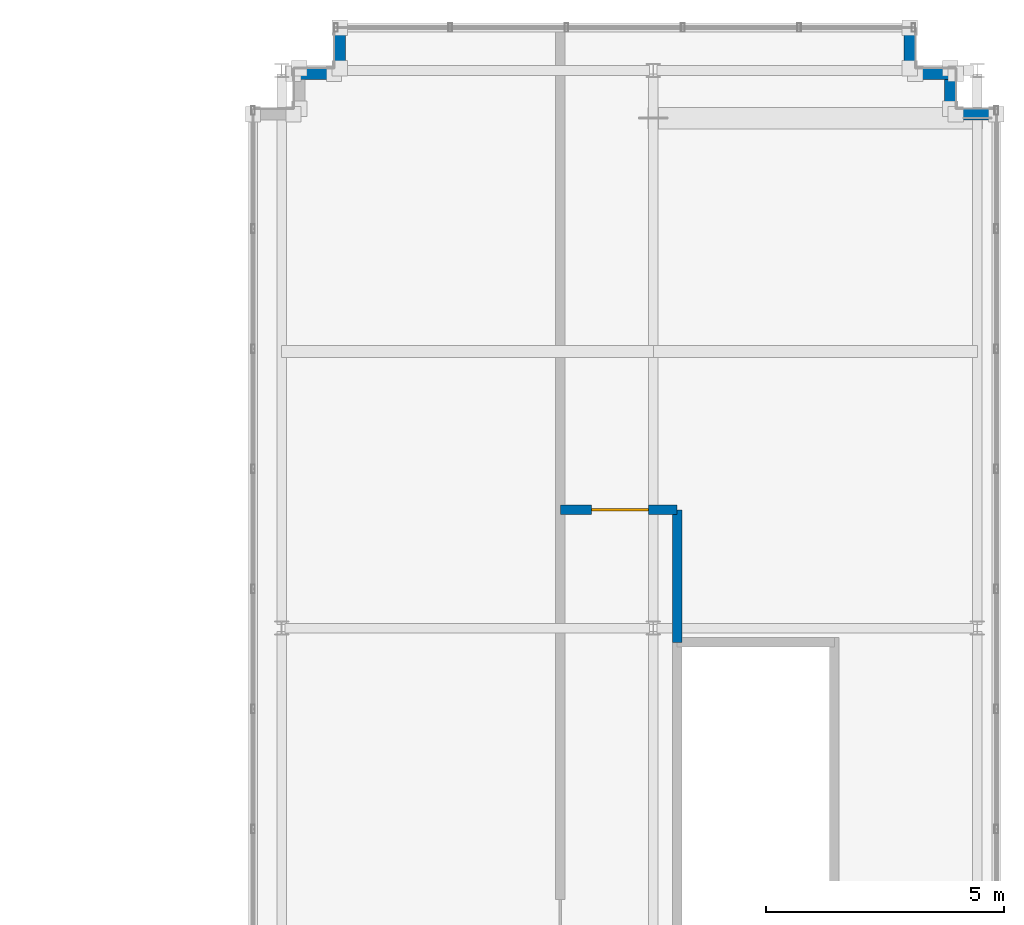
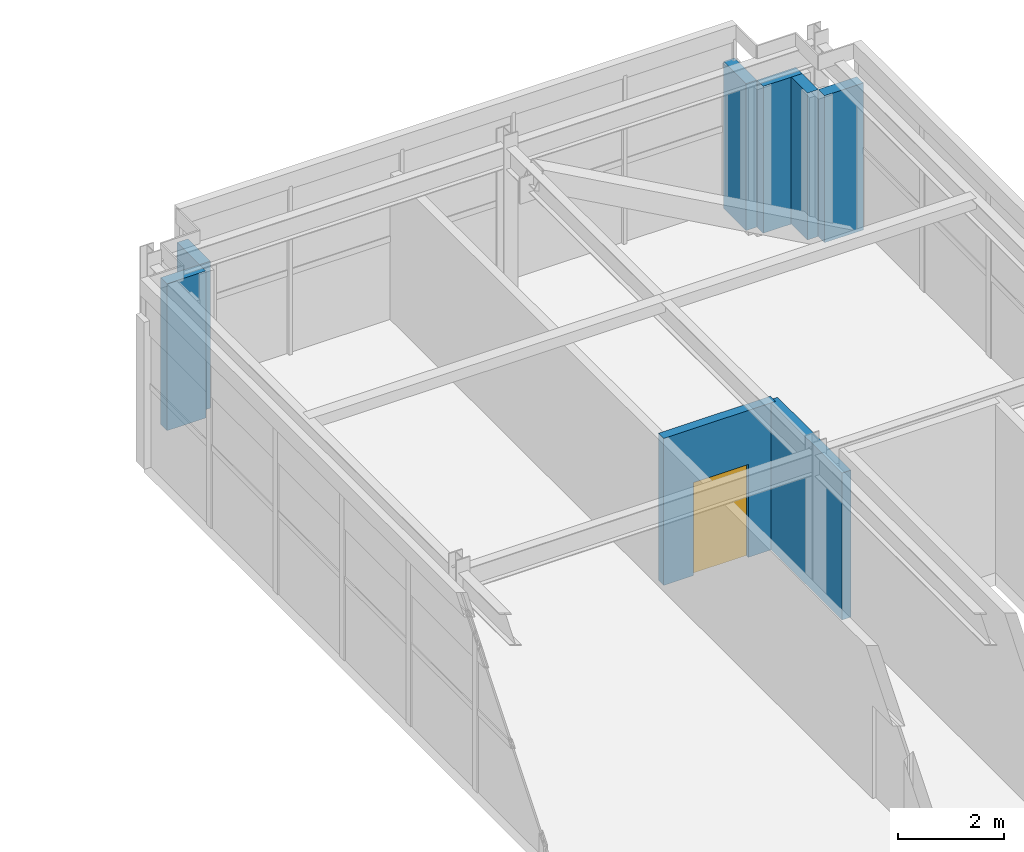
# One storey, part 24 of 25: 8 walls, 1 door, 1 opening.
"""IFC4 building model written with IfcOpenShell, lengths in metres."""

from ifc_helpers import new_model, si_unit, direction, frame, frame_2d, origin, place, context, subcontext, project, spatial, rectangle, extrude, source, transform, mapped, material, layer, layer_set, type_object, element, fill, save


model = new_model("IFC4")

# Units and contexts
model_context = context("Model", 3, precision=1e-05, world=origin(), true_north=direction((0.0, 1.0)))
body_context = subcontext(model_context, "Body", "Model", "MODEL_VIEW")
ifc_project = project(units=[si_unit("LENGTHUNIT", "METRE"), si_unit("AREAUNIT", "SQUARE_METRE"), si_unit("VOLUMEUNIT", "CUBIC_METRE"), si_unit("PLANEANGLEUNIT", "RADIAN"), si_unit("MASSUNIT", "GRAM", prefix="KILO")], contexts=[model_context])

# Site, building, storey
site_placement = place(None, origin())
site = spatial("IfcSite", under=ifc_project, at=site_placement, CompositionType="ELEMENT")
building_placement = place(site_placement, origin())
building = spatial("IfcBuilding", under=site, at=building_placement, Name="Trelvane Seafront Commons", CompositionType="ELEMENT")
storey_placement = place(building_placement, frame((0.0, 0.0, 320.89990234375)))
storey = spatial("IfcBuildingStorey", under=building, at=storey_placement, Name="L83", CompositionType="ELEMENT", Elevation=320.89990234375)

# Walls
ifc_material_1 = material(Name="Precast concrete C40/50", Category="concrete")
ifc_layer_1 = layer(ifc_material_1, 0.239990234375, Name="ARCH-WALL-EXT240")
ifc_layer_set_1 = layer_set([ifc_layer_1], Name="Precast concrete C40/50")
wall_type_1 = type_object("IfcWallType", Name="ARCH-WALL-EXT240", PredefinedType="SOLIDWALL", material=ifc_layer_set_1)
for number, where, z_axis, x_axis, name in (
    (1, (51.25, 45.030029296875, 0.0), (0.0, 0.0, 1.0), (1.0, 0.0, 0.0), "EW-L83-CRN-01812"),
    (2, (52.219970703125, 45.14990234375, 0.0), (0.0, 0.0, 1.0), (0.0, 1.0, 0.0), "EW-L83-CRN-01813"),
    (3, (64.179931640625, 46.0, 0.0), (0.0, 0.0, 1.0), (0.0, -1.0, 0.0), "EW-L83-CRN-01814"),
):
    element("IfcWall", number, at=place(storey_placement, frame(where, z_axis=z_axis, x_axis=x_axis)), inside=storey, type_object=wall_type_1, Name=name, PredefinedType="SOLIDWALL", context=body_context, shape_type="SweptSolid", body=[
        extrude(rectangle(XDim=0.85009765625, YDim=0.239990234375, at=frame_2d((0.425048828125, 0.0))), origin(), (0.0, 0.0, 1.0), 3.400146484375),
    ])
for number, where, z_axis, x_axis, name in (
    (4, (64.300048828125, 45.030029296875, 0.0), (0.0, 0.0, 1.0), (1.0, 0.0, 0.0), "EW-L83-CRN-01815"),
    (5, (65.030029296875, 45.14990234375, 0.0), (0.0, 0.0, 1.0), (0.0, -1.0, 0.0), "EW-L83-CRN-01816"),
):
    element("IfcWall", number, at=place(storey_placement, frame(where, z_axis=z_axis, x_axis=x_axis)), inside=storey, type_object=wall_type_1, Name=name, PredefinedType="SOLIDWALL", context=body_context, shape_type="SweptSolid", body=[
        extrude(rectangle(XDim=0.849853515625, YDim=0.239990234375, at=frame_2d((0.4248046875, 0.0))), origin(), (0.0, 0.0, 1.0), 3.400146484375),
    ])
wall_1_placement = place(storey_placement, frame((65.14990234375, 44.179931640625, 0.0), z_axis=(0.0, 0.0, 1.0), x_axis=(1.0, 0.0, 0.0)))
element("IfcWall", 6, at=wall_1_placement, inside=storey, type_object=wall_type_1, Name="EW-L83-CRN-01817", PredefinedType="SOLIDWALL", context=body_context, shape_type="SweptSolid", body=[
    extrude(rectangle(XDim=0.85009765625, YDim=0.239990234375, at=frame_2d((0.425048828125, 0.0))), origin(), (0.0, 0.0, 1.0), 3.400146484375),
])

# Wall, opening, door
ifc_material_2 = material(Name="Concrete C40/50", Category="concrete")
ifc_layer_2 = layer(ifc_material_2, 0.199951171875, Name="ARCH-WALL-FIRE200")
ifc_layer_set_2 = layer_set([ifc_layer_2], Name="Concrete C40/50")
wall_type_2 = type_object("IfcWallType", Name="ARCH-WALL-FIRE200", PredefinedType="PARTITIONING", material=ifc_layer_set_2)
wall_2_placement = place(storey_placement, frame((56.85009765625, 35.8798828125, 0.0), z_axis=(0.0, 0.0, 1.0), x_axis=(1.0, 0.0, 0.0)))
wall_2 = element("IfcWall", 7, at=wall_2_placement, inside=storey, type_object=wall_type_2, Name="W-L83-CRNE-N-026", PredefinedType="PARTITIONING", context=body_context, shape_type="SweptSolid", body=[
    extrude(rectangle(XDim=2.449951171875, YDim=0.199951171875, at=frame_2d((1.22509765625, 0.0))), origin(), (0.0, 0.0, 1.0), 3.400146484375),
])
opening_placement = place(wall_2_placement, frame((0.64990234375, 0.0, 0.0)))
opening = element("IfcOpeningElement", 8, at=opening_placement, cuts=wall_2, Name="Opening FD-L83-13", PredefinedType="OPENING", context=body_context, shape_type="SweptSolid", body=[
    extrude(rectangle(XDim=1.199951171875, YDim=2.14990234375, at=frame_2d((0.60009765625, 1.074951171875))), frame((0.0, 0.10986328125, 0.0), z_axis=(0.0, -1.0, 0.0), x_axis=(1.0, 0.0, 0.0)), (0.0, 0.0, 1.0), 0.219970703125),
])
ifc_material_3 = material(Name="Powder-coated aluminium frame", Category="aluminium")
door_type = type_object("IfcDoorType", Name="ARCH-DR-FD60-1200", OperationType="NOTDEFINED", PredefinedType="DOOR", material=ifc_material_3)
shared_shape = source(origin(), body_context, "Body", "SweptSolid", [
    extrude(rectangle(XDim=1.199951171875, YDim=2.14990234375, at=frame_2d((0.60009765625, 1.074951171875))), frame((0.0, 0.02490234375, 0.0), z_axis=(0.0, -1.0, 0.0), x_axis=(1.0, 0.0, 0.0)), (0.0, 0.0, 1.0), 0.050048828125),
])
door_placement = place(opening_placement, origin())
door = element("IfcDoor", 9, at=door_placement, inside=storey, type_object=door_type, Name="L83 BMS Fan Room Door", OperationType="SINGLE_SWING_LEFT", OverallHeight=2.14990234375, OverallWidth=1.199951171875, PredefinedType="DOOR", context=body_context, shape_type="MappedRepresentation", body=[
    mapped(shared_shape, transform((0.0, 0.0, 0.0), x_axis=(1.0, 0.0, 0.0), y_axis=(0.0, 1.0, 0.0), z_axis=(0.0, 0.0, 1.0), scale=1.0)),
])
fill(opening, door)

# Wall
wall_3_placement = place(storey_placement, frame((59.300048828125, 33.10009765625, 0.0), z_axis=(0.0, 0.0, 1.0), x_axis=(0.0, 1.0, 0.0)))
element("IfcWall", 10, at=wall_3_placement, inside=storey, type_object=wall_type_2, Name="W-L83-CRNE-SPE-027", PredefinedType="PARTITIONING", context=body_context, shape_type="SweptSolid", body=[
    extrude(rectangle(XDim=2.77978515625, YDim=0.199951171875, at=frame_2d((1.389892578125, 0.0))), origin(), (0.0, 0.0, 1.0), 3.400146484375),
])

save(model, "model.ifc")
